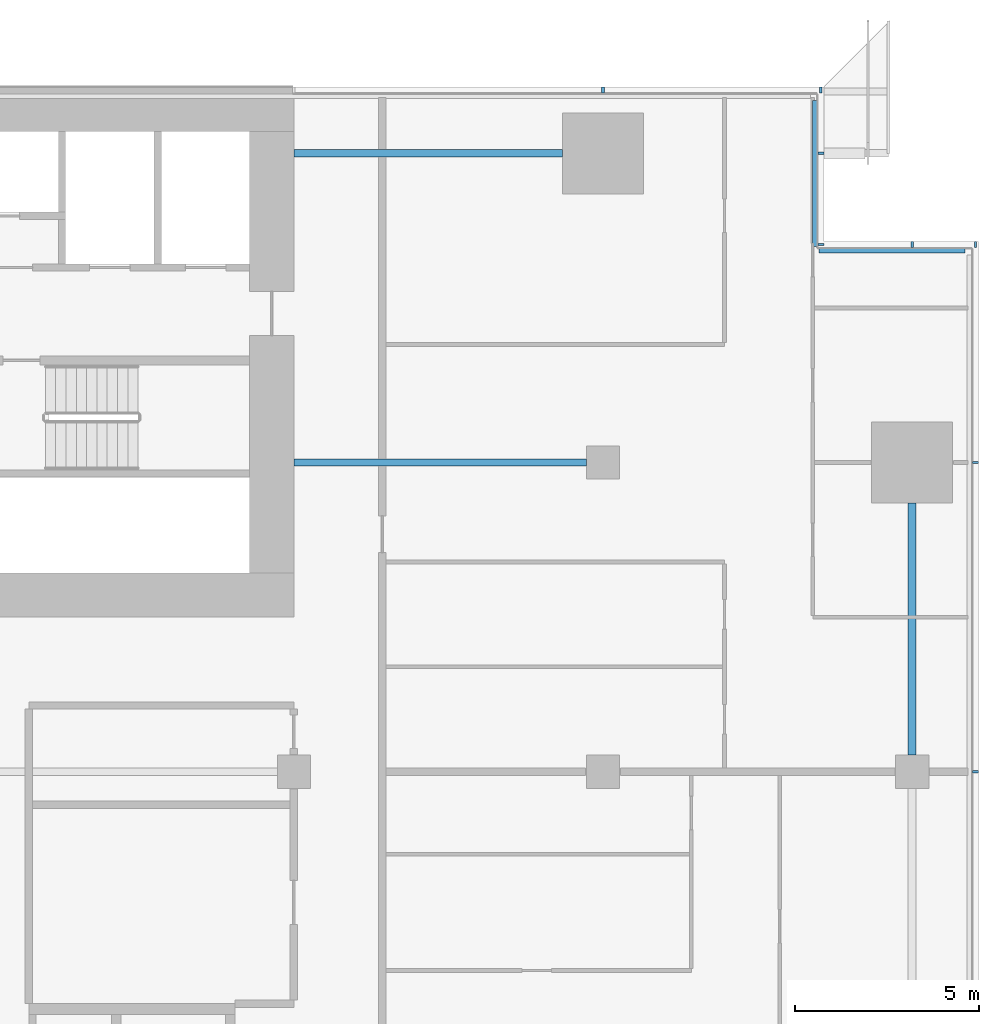
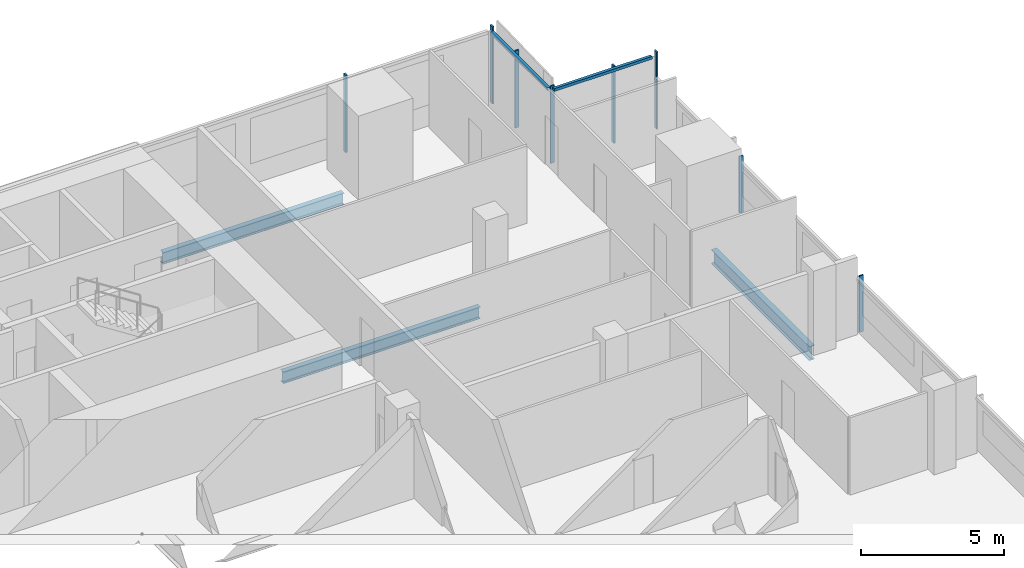
# One storey, part 14 of 25: 10 members, 3 beams, 4 elements without a shape of their own.
"""IFC4 building model written with IfcOpenShell, lengths in metres."""

import ifcopenshell
import ifcopenshell.guid

model = None  # the IFC model being written
_history = None  # IfcOwnerHistory: only IFC2X3 demands one
_inside = {}  # id of a spatial element -> (the spatial element, [elements in it])
_under = {}  # id of a project, library or spatial element -> (it, [spatial elements below it])
_declared = {}  # id of a project -> (the project, [libraries it declares])
_typed = {}  # id of a type object -> (the type object, [elements of that type])
_made_of = {}  # id of a material, layer set ... -> (it, [elements and type objects made of it])


def new_model(schema):
    """Start an empty IFC model of exactly this schema.

    Asked for "IFC4X3", IfcOpenShell would pick the latest addendum, in which some entities
    have other attributes; the version numbers below select the first issue.
    IFC2X3 requires an IfcOwnerHistory on every rooted entity: one is made here for all.
    """
    global model, _history
    if schema == "IFC4X3":
        model = ifcopenshell.file(schema_version=(4, 3, 0, 0))
    else:
        model = ifcopenshell.file(schema=schema)
    _inside.clear()
    _under.clear()
    _declared.clear()
    _typed.clear()
    _made_of.clear()
    _history = None
    if model.schema == "IFC2X3":
        org = make("IfcOrganization", Name="unknown")
        user = make(
            "IfcPersonAndOrganization",
            ThePerson=make("IfcPerson", FamilyName="unknown"),
            TheOrganization=org,
        )
        app = make(
            "IfcApplication",
            ApplicationDeveloper=org,
            Version="unknown",
            ApplicationFullName="unknown",
            ApplicationIdentifier="unknown",
        )
        _history = make(
            "IfcOwnerHistory",
            OwningUser=user,
            OwningApplication=app,
            ChangeAction="ADDED",
            CreationDate=0,
        )
    return model


def make(cls, **values):
    """One entity of the class cls with the attributes given. An attribute that is None is left unset."""
    return model.create_entity(
        cls, **{name: value for name, value in values.items() if value is not None}
    )


def rooted(cls, **values):
    """An entity with a GlobalId (a new one), such as an element, a storey or a relation."""
    return make(cls, GlobalId=ifcopenshell.guid.new(), OwnerHistory=_history, **values)


def si_unit(unit_type, name, prefix=None):
    """IfcSIUnit, for example si_unit("LENGTHUNIT", "METRE", prefix="MILLI")."""
    return make("IfcSIUnit", UnitType=unit_type, Prefix=prefix, Name=name)


def assignment(units):
    """IfcUnitAssignment: the units of a project."""
    return None if units is None else make("IfcUnitAssignment", Units=units)


def point(xyz):
    """IfcCartesianPoint."""
    return None if xyz is None else make("IfcCartesianPoint", Coordinates=xyz)


def direction(xyz):
    """IfcDirection."""
    return None if xyz is None else make("IfcDirection", DirectionRatios=xyz)


def frame(location, z_axis=None, x_axis=None):
    """IfcAxis2Placement3D, a coordinate frame: its origin and axes. An axis left out is left unset."""
    return make(
        "IfcAxis2Placement3D",
        Location=point(location),
        Axis=direction(z_axis),
        RefDirection=direction(x_axis),
    )


def frame_2d(location, x_axis=None):
    """IfcAxis2Placement2D, a coordinate frame in the plane: its origin and x axis."""
    return make(
        "IfcAxis2Placement2D", Location=point(location), RefDirection=direction(x_axis)
    )


def origin():
    """The frame at (0, 0, 0) with its axes left unset."""
    return frame((0.0, 0.0, 0.0))


def origin_2d():
    """The frame at (0, 0) in the plane with its x axis left unset."""
    return frame_2d((0.0, 0.0))


def place(relative_to, where):
    """IfcLocalPlacement: puts the frame where relative to a parent placement (None: the world)."""
    return make(
        "IfcLocalPlacement", PlacementRelTo=relative_to, RelativePlacement=where
    )


def context(
    kind, dimensions, precision=None, world=None, true_north=None, identifier=None
):
    """IfcGeometricRepresentationContext, for example the 3D "Model" context."""
    return make(
        "IfcGeometricRepresentationContext",
        ContextIdentifier=identifier,
        ContextType=kind,
        CoordinateSpaceDimension=dimensions,
        Precision=precision,
        WorldCoordinateSystem=world,
        TrueNorth=true_north,
    )


def subcontext(parent, identifier, kind, view, scale=None):
    """IfcGeometricRepresentationSubContext, for example "Body" below "Model"."""
    return make(
        "IfcGeometricRepresentationSubContext",
        ContextIdentifier=identifier,
        ContextType=kind,
        ParentContext=parent,
        TargetScale=scale,
        TargetView=view,
    )


def project(units=None, contexts=None):
    """IfcProject with its units and contexts."""
    return rooted(
        "IfcProject",
        Name="project",
        RepresentationContexts=contexts,
        UnitsInContext=assignment(units),
    )


def spatial(cls, under=None, at=None, **own):
    """A site, building, storey or space (cls), placed at a placement, below another one or the project."""
    s = rooted(cls, ObjectPlacement=at, **own)
    if under is not None:
        _under.setdefault(under.id(), (under, []))[1].append(s)
    return s


def profile(cls, at=None, kind="AREA", **sizes):
    """A parametric profile (cls). Its sizes go by their IFC names, for example OverallWidth=200.0."""
    return make(cls, ProfileType=kind, Position=at, **sizes)


def rectangle(**sizes):
    """IfcRectangleProfileDef."""
    return profile("IfcRectangleProfileDef", **sizes)


def i_section(**sizes):
    """IfcIShapeProfileDef."""
    return profile("IfcIShapeProfileDef", **sizes)


def extrude(swept, where, along, depth):
    """IfcExtrudedAreaSolid: the profile swept, set in the frame where, extruded along a direction by depth."""
    return make(
        "IfcExtrudedAreaSolid",
        SweptArea=swept,
        Position=where,
        ExtrudedDirection=direction(along),
        Depth=depth,
    )


def shape(context_of_items, identifier, shape_type, items):
    """IfcShapeRepresentation: the items that make up one representation, for example the "Body"."""
    return make(
        "IfcShapeRepresentation",
        ContextOfItems=context_of_items,
        RepresentationIdentifier=identifier,
        RepresentationType=shape_type,
        Items=items,
    )


def material(Name=None, Category=None):
    """IfcMaterial."""
    return make("IfcMaterial", Name=Name, Category=Category)


def material_profile(
    of_material, cross_section, Name=None, Category=None, Priority=None
):
    """IfcMaterialProfile: a cross section and its material."""
    return make(
        "IfcMaterialProfile",
        Name=Name,
        Material=of_material,
        Profile=cross_section,
        Priority=Priority,
        Category=Category,
    )


def profile_set(profiles, Name=None, composite=None):
    """IfcMaterialProfileSet."""
    return make(
        "IfcMaterialProfileSet",
        Name=Name,
        MaterialProfiles=profiles,
        CompositeProfile=composite,
    )


def made_of(thing, what):
    """Note that an element or type object is made of a material, layer set ...; save() writes the relation."""
    if what is not None:
        _made_of.setdefault(what.id(), (what, []))[1].append(thing)
    return thing


def type_object(cls, material=None, **own):
    """A type object (cls), such as IfcWallType, which elements share."""
    return made_of(rooted(cls, **own), material)


def element(
    cls,
    number,
    at=None,
    inside=None,
    cuts=None,
    type_object=None,
    material=None,
    context=None,
    identifier="Body",
    shape_type=None,
    held_by="IfcProductDefinitionShape",
    body=None,
    shapes=None,
    **own,
):
    """One element of the class cls, such as IfcWall. Its Tag is "e" and its number.

    at: its placement. inside: the storey or other place that contains it. cuts: it is an
    opening in that element (IfcRelVoidsElement). A single representation is given by context,
    identifier, shape_type and body (its items); several are given by shapes. held_by: the class
    of the entity that holds the representations. save() writes the other relations.
    """
    e = rooted(cls, Tag="e%d" % number, ObjectPlacement=at, **own)
    if body is not None:
        shapes = [shape(context, identifier, shape_type, body)]
    if shapes is not None:
        e.Representation = make(held_by, Representations=shapes)
    if inside is not None:
        _inside.setdefault(inside.id(), (inside, []))[1].append(e)
    if cuts is not None:
        rooted(
            "IfcRelVoidsElement", RelatingBuildingElement=cuts, RelatedOpeningElement=e
        )
    if type_object is not None:
        _typed.setdefault(type_object.id(), (type_object, []))[1].append(e)
    return made_of(e, material)


def aggregate(whole, parts):
    """IfcRelAggregates: a whole, such as a stair, and the parts it consists of."""
    return rooted("IfcRelAggregates", RelatingObject=whole, RelatedObjects=parts)


def save(model, path):
    """Write the relations noted so far, then the file.

    IfcRelAggregates (storeys below a building ...), IfcRelContainedInSpatialStructure (elements
    in a storey), IfcRelDefinesByType, IfcRelAssociatesMaterial and IfcRelDeclares: one each for
    every whole, place, type object, material and project.
    """
    for whole, parts in _under.values():
        aggregate(whole, parts)
    for where, things in _inside.values():
        rooted(
            "IfcRelContainedInSpatialStructure",
            RelatedElements=things,
            RelatingStructure=where,
        )
    for kind, things in _typed.values():
        rooted("IfcRelDefinesByType", RelatedObjects=things, RelatingType=kind)
    for what, things in _made_of.values():
        rooted("IfcRelAssociatesMaterial", RelatedObjects=things, RelatingMaterial=what)
    for by, libraries in _declared.values():
        rooted("IfcRelDeclares", RelatingContext=by, RelatedDefinitions=libraries)
    model.write(path)


model = new_model("IFC4")

# Units and contexts
model_context = context("Model", 3, precision=1e-05, world=origin(), true_north=direction((0.0, 1.0)))
body_context = subcontext(model_context, "Body", "Model", "MODEL_VIEW")
ifc_project = project(units=[si_unit("LENGTHUNIT", "METRE"), si_unit("AREAUNIT", "SQUARE_METRE"), si_unit("VOLUMEUNIT", "CUBIC_METRE"), si_unit("PLANEANGLEUNIT", "RADIAN"), si_unit("MASSUNIT", "GRAM", prefix="KILO")], contexts=[model_context])

# Site, building, storey
site_placement = place(None, origin())
site = spatial("IfcSite", under=ifc_project, at=site_placement, CompositionType="ELEMENT")
building_placement = place(site_placement, origin())
building = spatial("IfcBuilding", under=site, at=building_placement, Name="Saffron Gate Tower", CompositionType="ELEMENT")
storey_placement = place(building_placement, frame((0.0, 0.0, 80.39990234375)))
storey = spatial("IfcBuildingStorey", under=building, at=storey_placement, Name="L19", CompositionType="ELEMENT", Elevation=80.39990234375)

# Beams
ifc_material_1 = material(Name="Structural steel S355", Category="steel")
ifc_material_profile_1 = material_profile(ifc_material_1, i_section(OverallWidth=0.199951171875, OverallDepth=0.5, WebThickness=0.01025390625, FlangeThickness=0.01611328125, FilletRadius=0.02099609375, at=origin_2d()))
ifc_profile_set_1 = profile_set([ifc_material_profile_1], Name="Structural steel S355")
beam_type_1 = type_object("IfcBeamType", Name="B10 IPE 500", PredefinedType="BEAM", material=ifc_profile_set_1)
beam_1_placement = place(storey_placement, frame((116.550048828125, 65.39990234375, -0.52978515625), z_axis=(-1.0, 0.0, 0.0), x_axis=(0.0, -1.0, 0.0)))
element("IfcBeam", 1, at=beam_1_placement, inside=storey, type_object=beam_type_1, Name="B10 CORE TIE BEAM", PredefinedType="BEAM", context=body_context, shape_type="SweptSolid", body=[
    extrude(i_section(OverallWidth=0.199951171875, OverallDepth=0.5, WebThickness=0.01025390625, FlangeThickness=0.01611328125, FilletRadius=0.02099609375, at=origin_2d()), origin(), (0.0, 0.0, 1.0), 7.949951171875),
])
beam_2_placement = place(storey_placement, frame((115.89990234375, 73.800048828125, -0.52978515625), z_axis=(-1.0, 0.0, 0.0), x_axis=(0.0, -1.0, 0.0)))
element("IfcBeam", 2, at=beam_2_placement, inside=storey, type_object=beam_type_1, Name="B10 CORE TIE BEAM", PredefinedType="BEAM", context=body_context, shape_type="SweptSolid", body=[
    extrude(i_section(OverallWidth=0.199951171875, OverallDepth=0.5, WebThickness=0.01025390625, FlangeThickness=0.01611328125, FilletRadius=0.02099609375, at=origin_2d()), origin(), (0.0, 0.0, 1.0), 7.2998046875),
])
ifc_material_profile_2 = material_profile(ifc_material_1, i_section(OverallWidth=0.219970703125, OverallDepth=0.60009765625, WebThickness=0.011962890625, FlangeThickness=0.01904296875, FilletRadius=0.02392578125, at=origin_2d()))
ifc_profile_set_2 = profile_set([ifc_material_profile_2], Name="Structural steel S355")
beam_type_2 = type_object("IfcBeamType", Name="B16 IPE 600", PredefinedType="SPANDREL", material=ifc_profile_set_2)
beam_3_placement = place(storey_placement, frame((125.39990234375, 57.449951171875, -0.579833984375), z_axis=(0.0, 1.0, 0.0), x_axis=(-1.0, 0.0, 0.0)))
element("IfcBeam", 3, at=beam_3_placement, inside=storey, type_object=beam_type_2, Name="B16 SPANDREL BEAM", PredefinedType="SPANDREL", context=body_context, shape_type="SweptSolid", body=[
    extrude(i_section(OverallWidth=0.219970703125, OverallDepth=0.60009765625, WebThickness=0.011962890625, FlangeThickness=0.01904296875, FilletRadius=0.02392578125, at=origin_2d()), origin(), (0.0, 0.0, 1.0), 6.85009765625),
])

# Curtain wall, members
ifc_material_2 = material(Name="Aluminium, bronze anodised", Category="aluminium")
curtain_wall_type_1 = type_object("IfcCurtainWallType", Name="CWS2 curtain wall side facades", PredefinedType="NOTDEFINED", material=ifc_material_2)
curtain_wall_1_placement = place(storey_placement, origin())
curtain_wall_1 = element("IfcCurtainWall", 4, at=curtain_wall_1_placement, inside=storey, type_object=curtain_wall_type_1, Name="CWS2 run 4", PredefinedType="NOTDEFINED")
ifc_material_profile_3 = material_profile(ifc_material_2, rectangle(XDim=0.159912109375, YDim=0.06005859375, at=origin_2d()))
ifc_profile_set_3 = profile_set([ifc_material_profile_3], Name="Aluminium, bronze anodised")
member_type_1 = type_object("IfcMemberType", Name="CWS2 mullion 60x160", PredefinedType="MULLION", material=ifc_profile_set_3)
member_1_placement = place(storey_placement, frame((127.1201171875, 57.0, 0.0), z_axis=(0.0, 0.0, 1.0), x_axis=(-1.0, 0.0, 0.0)))
member_1 = element("IfcMember", 5, at=member_1_placement, type_object=member_type_1, Name="CWS2 mullion 4", PredefinedType="MULLION", context=body_context, shape_type="SweptSolid", body=[
    extrude(rectangle(XDim=0.159912109375, YDim=0.06005859375, at=origin_2d()), origin(), (0.0, 0.0, 1.0), 2.41015625),
])
member_2_placement = place(storey_placement, frame((127.1201171875, 65.39990234375, 0.0), z_axis=(0.0, 0.0, 1.0), x_axis=(-1.0, 0.0, 0.0)))
member_2 = element("IfcMember", 6, at=member_2_placement, type_object=member_type_1, Name="CWS2 mullion 5", PredefinedType="MULLION", context=body_context, shape_type="SweptSolid", body=[
    extrude(rectangle(XDim=0.159912109375, YDim=0.06005859375, at=origin_2d()), origin(), (0.0, 0.0, 1.0), 2.41015625),
])
aggregate(curtain_wall_1, [member_1, member_2])

curtain_wall_type_2 = type_object("IfcCurtainWallType", Name="CWS3 curtain wall rear facade", PredefinedType="NOTDEFINED", material=ifc_material_2)
curtain_wall_2_placement = place(storey_placement, origin())
curtain_wall_2 = element("IfcCurtainWall", 7, at=curtain_wall_2_placement, inside=storey, type_object=curtain_wall_type_2, Name="CWS3 run 7", PredefinedType="NOTDEFINED")
ifc_material_profile_4 = material_profile(ifc_material_2, rectangle(XDim=0.159912109375, YDim=0.070068359375, at=origin_2d()))
ifc_profile_set_4 = profile_set([ifc_material_profile_4], Name="Aluminium, bronze anodised")
member_type_2 = type_object("IfcMemberType", Name="CWS3 mullion 70x160", PredefinedType="MULLION", material=ifc_profile_set_4)
member_3_placement = place(storey_placement, frame((122.919921875, 75.52001953125, 0.0), z_axis=(0.0, 0.0, 1.0), x_axis=(0.0, -1.0, 0.0)))
member_3 = element("IfcMember", 8, at=member_3_placement, type_object=member_type_2, Name="CWS3 mullion 1", PredefinedType="MULLION", context=body_context, shape_type="SweptSolid", body=[
    extrude(rectangle(XDim=0.159912109375, YDim=0.070068359375, at=origin_2d()), origin(), (0.0, 0.0, 1.0), 3.300048828125),
])
member_4_placement = place(storey_placement, frame((117.0, 75.52001953125, 0.0), z_axis=(0.0, 0.0, 1.0), x_axis=(0.0, -1.0, 0.0)))
member_4 = element("IfcMember", 9, at=member_4_placement, type_object=member_type_2, Name="CWS3 mullion 2", PredefinedType="MULLION", context=body_context, shape_type="SweptSolid", body=[
    extrude(rectangle(XDim=0.159912109375, YDim=0.070068359375, at=origin_2d()), origin(), (0.0, 0.0, 1.0), 3.300048828125),
])
aggregate(curtain_wall_2, [member_3, member_4])

# Curtain wall, member
curtain_wall_type_3 = type_object("IfcCurtainWallType", Name="CWS4 curtain wall corner returns", PredefinedType="NOTDEFINED", material=ifc_material_2)
curtain_wall_3_placement = place(storey_placement, origin())
curtain_wall_3 = element("IfcCurtainWall", 10, at=curtain_wall_3_placement, inside=storey, type_object=curtain_wall_type_3, Name="CWS4 run 5", PredefinedType="NOTDEFINED")
ifc_material_profile_5 = material_profile(ifc_material_2, rectangle(XDim=0.1201171875, YDim=0.1201171875, at=origin_2d()))
ifc_profile_set_5 = profile_set([ifc_material_profile_5], Name="Aluminium, bronze anodised")
member_type_3 = type_object("IfcMemberType", Name="CWS4 head transom", PredefinedType="USERDEFINED", material=ifc_profile_set_5)
member_5_placement = place(storey_placement, frame((126.83203125, 71.152099609375, 3.239990234375), z_axis=(-1.0, 0.0, 0.0), x_axis=(0.0, -1.0, 0.0)))
member_5 = element("IfcMember", 11, at=member_5_placement, type_object=member_type_3, Name="CWS4 head transom", ObjectType="TRANSOM", PredefinedType="USERDEFINED", context=body_context, shape_type="SweptSolid", body=[
    extrude(rectangle(XDim=0.1201171875, YDim=0.1201171875, at=origin_2d()), origin(), (0.0, 0.0, 1.0), 3.9599609375),
])

curtain_wall_4_placement = place(storey_placement, origin())
curtain_wall_4 = element("IfcCurtainWall", 12, at=curtain_wall_4_placement, inside=storey, type_object=curtain_wall_type_3, Name="CWS4 run 6", PredefinedType="NOTDEFINED")
member_6_placement = place(storey_placement, frame((122.751953125, 71.27197265625, 3.239990234375), z_axis=(0.0, 1.0, 0.0), x_axis=(-1.0, 0.0, 0.0)))
member_6 = element("IfcMember", 13, at=member_6_placement, type_object=member_type_3, Name="CWS4 head transom", ObjectType="TRANSOM", PredefinedType="USERDEFINED", context=body_context, shape_type="SweptSolid", body=[
    extrude(rectangle(XDim=0.1201171875, YDim=0.1201171875, at=origin_2d()), origin(), (0.0, 0.0, 1.0), 3.9599609375),
])

# Member
ifc_material_profile_6 = material_profile(ifc_material_2, rectangle(XDim=0.159912109375, YDim=0.06005859375, at=origin_2d()))
ifc_profile_set_6 = profile_set([ifc_material_profile_6], Name="Aluminium, bronze anodised")
member_type_4 = type_object("IfcMemberType", Name="CWS4 mullion 60x160", PredefinedType="MULLION", material=ifc_profile_set_6)
member_7_placement = place(storey_placement, frame((127.1201171875, 71.320068359375, 0.0), z_axis=(0.0, 0.0, 1.0), x_axis=(0.0, -1.0, 0.0)))
member_7 = element("IfcMember", 14, at=member_7_placement, type_object=member_type_4, Name="CWS4 mullion 1", PredefinedType="MULLION", context=body_context, shape_type="SweptSolid", body=[
    extrude(rectangle(XDim=0.159912109375, YDim=0.06005859375, at=origin_2d()), origin(), (0.0, 0.0, 1.0), 3.300048828125),
])

member_8_placement = place(storey_placement, frame((125.39990234375, 71.320068359375, 0.0), z_axis=(0.0, 0.0, 1.0), x_axis=(0.0, -1.0, 0.0)))
member_8 = element("IfcMember", 15, at=member_8_placement, type_object=member_type_4, Name="CWS4 mullion 2", PredefinedType="MULLION", context=body_context, shape_type="SweptSolid", body=[
    extrude(rectangle(XDim=0.159912109375, YDim=0.06005859375, at=origin_2d()), origin(), (0.0, 0.0, 1.0), 3.300048828125),
])

aggregate(curtain_wall_3, [member_7, member_8, member_5])

member_9_placement = place(storey_placement, frame((122.919921875, 71.320068359375, 0.0), z_axis=(0.0, 0.0, 1.0), x_axis=(-1.0, 0.0, 0.0)))
member_9 = element("IfcMember", 16, at=member_9_placement, type_object=member_type_4, Name="CWS4 mullion 1", PredefinedType="MULLION", context=body_context, shape_type="SweptSolid", body=[
    extrude(rectangle(XDim=0.159912109375, YDim=0.06005859375, at=origin_2d()), origin(), (0.0, 0.0, 1.0), 3.300048828125),
])

member_10_placement = place(storey_placement, frame((122.919921875, 73.800048828125, 0.0), z_axis=(0.0, 0.0, 1.0), x_axis=(-1.0, 0.0, 0.0)))
member_10 = element("IfcMember", 17, at=member_10_placement, type_object=member_type_4, Name="CWS4 mullion 2", PredefinedType="MULLION", context=body_context, shape_type="SweptSolid", body=[
    extrude(rectangle(XDim=0.159912109375, YDim=0.06005859375, at=origin_2d()), origin(), (0.0, 0.0, 1.0), 3.300048828125),
])

aggregate(curtain_wall_4, [member_9, member_10, member_6])

save(model, "model.ifc")
